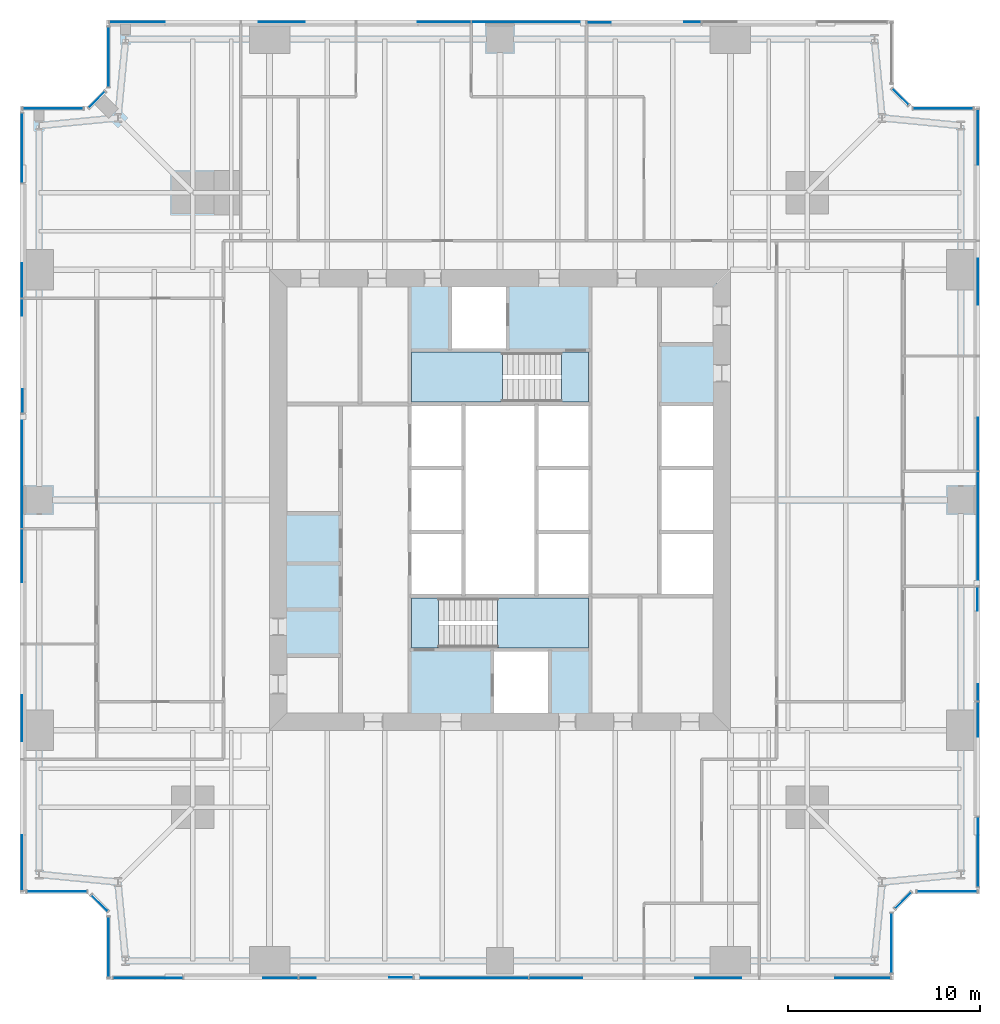
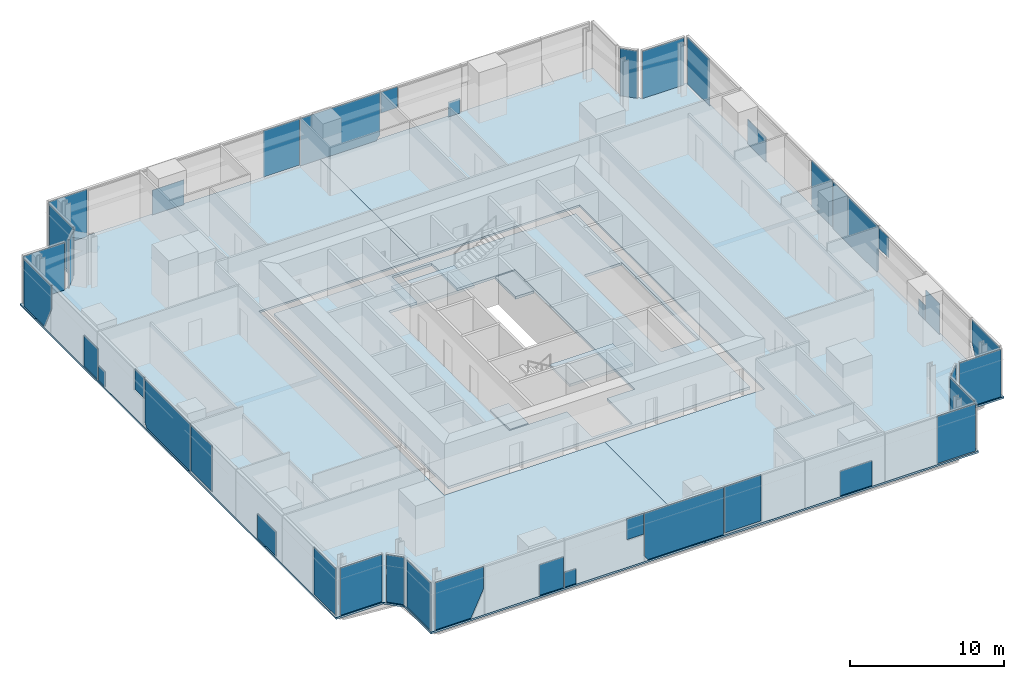
# One storey, part 8 of 14: 41 plates, 7 slabs, 17 elements without a shape of their own.
"""IFC4 building model written with IfcOpenShell, lengths in metres."""

from ifc_helpers import new_model, si_unit, direction, frame, origin, origin_2d, place, context, subcontext, project, spatial, polyline, rectangle, outline, extrude, material, layer, layer_set, type_object, element, aggregate, save


model = new_model("IFC4")

# Units and contexts
model_context = context("Model", 3, precision=1e-05, world=origin(), true_north=direction((0.0, 1.0)))
body_context = subcontext(model_context, "Body", "Model", "MODEL_VIEW")
ifc_project = project(units=[si_unit("LENGTHUNIT", "METRE"), si_unit("AREAUNIT", "SQUARE_METRE"), si_unit("VOLUMEUNIT", "CUBIC_METRE"), si_unit("PLANEANGLEUNIT", "RADIAN"), si_unit("MASSUNIT", "GRAM", prefix="KILO")], contexts=[model_context])

# Site, building, storey
site_placement = place(None, origin())
site = spatial("IfcSite", under=ifc_project, at=site_placement, CompositionType="ELEMENT")
building_placement = place(site_placement, origin())
building = spatial("IfcBuilding", under=site, at=building_placement, Name="Fenwick Lantern Interchange", CompositionType="ELEMENT")
storey_placement = place(building_placement, frame((0.0, 0.0, 122.39990234375)))
storey = spatial("IfcBuildingStorey", under=building, at=storey_placement, Name="L28", CompositionType="ELEMENT", Elevation=122.39990234375)

# Slabs
ifc_material_1 = material(Name="Concrete f'c 35 MPa", Category="concrete")
ifc_layer_1 = layer(ifc_material_1, 0.199951171875)
ifc_layer_set_1 = layer_set([ifc_layer_1], Name="CORE FLOOR SLAB 200")
slab_type_1 = type_object("IfcSlabType", Name="CORE FLOOR SLAB 200", PredefinedType="FLOOR", material=ifc_layer_set_1)
slab_1_placement = place(storey_placement, frame((0.0, 0.0, -0.199951171875)))
element("IfcSlab", 1, at=slab_1_placement, inside=storey, type_object=slab_type_1, Name="L28/SLAB/CORE", PredefinedType="FLOOR", context=body_context, shape_type="SweptSolid", body=[
    extrude(outline(polyline([(13.699951171875, 36.300048828125), (36.300048828125, 36.300048828125), (36.300048828125, 13.699951171875), (13.699951171875, 13.699951171875), (13.699951171875, 36.300048828125)]), holes=[polyline([(29.699951171875, 17.199951171875), (29.699951171875, 20.0), (29.699951171875, 23.333251953125), (29.699951171875, 26.666748046875), (29.699951171875, 30.0), (29.699951171875, 32.800048828125), (25.39990234375, 32.800048828125), (25.39990234375, 36.10009765625), (22.39990234375, 36.10009765625), (22.39990234375, 32.800048828125), (20.300048828125, 32.800048828125), (20.300048828125, 30.0), (20.300048828125, 26.666748046875), (20.300048828125, 23.333251953125), (20.300048828125, 20.0), (20.300048828125, 17.199951171875), (24.60009765625, 17.199951171875), (24.60009765625, 13.89990234375), (27.60009765625, 13.89990234375), (27.60009765625, 17.199951171875), (29.699951171875, 17.199951171875)]), polyline([(33.300048828125, 23.333251953125), (33.300048828125, 20.0), (36.10009765625, 20.0), (36.10009765625, 23.333251953125), (36.10009765625, 26.666748046875), (36.10009765625, 30.0), (33.300048828125, 30.0), (33.300048828125, 26.666748046875), (33.300048828125, 23.333251953125)])]), origin(), (0.0, 0.0, 1.0), 0.199951171875),
])
ifc_material_2 = material(Name="Concrete f'c 35 MPa", Category="concrete")
ifc_layer_2 = layer(ifc_material_2, 0.14990234375)
ifc_layer_set_2 = layer_set([ifc_layer_2], Name="Concrete f'c 35 MPa")
slab_type_2 = type_object("IfcSlabType", Name="FLOOR SLAB 150", PredefinedType="FLOOR", material=ifc_layer_set_2)
slab_2_placement = place(storey_placement, frame((0.0, 0.0, -0.14990234375)))
element("IfcSlab", 2, at=slab_2_placement, inside=storey, type_object=slab_type_2, Name="L28/SLAB/FW", PredefinedType="FLOOR", context=body_context, shape_type="SweptSolid", body=[
    extrude(outline(polyline([(4.5, 0.0), (4.5, 3.5), (3.5, 4.5), (0.0, 4.5), (0.0, 45.5), (3.5, 45.5), (4.5, 46.5), (4.5, 50.0), (25.0, 50.0), (25.0, 37.0), (13.0, 37.0), (13.0, 13.0), (25.0, 13.0), (25.0, 0.0), (4.5, 0.0)])), origin(), (0.0, 0.0, 1.0), 0.14990234375),
])
slab_3_placement = place(storey_placement, frame((0.0, 0.0, -0.14990234375)))
element("IfcSlab", 3, at=slab_3_placement, inside=storey, type_object=slab_type_2, Name="L28/SLAB/FE", PredefinedType="FLOOR", context=body_context, shape_type="SweptSolid", body=[
    extrude(outline(polyline([(45.5, 50.0), (45.5, 46.5), (46.5, 45.5), (50.0, 45.5), (50.0, 4.5), (46.5, 4.5), (45.5, 3.5), (45.5, 0.0), (25.0, 0.0), (25.0, 13.0), (37.0, 13.0), (37.0, 37.0), (25.0, 37.0), (25.0, 50.0), (45.5, 50.0)])), origin(), (0.0, 0.0, 1.0), 0.14990234375),
])

# Curtain wall, plates
ifc_material_3 = material(Name="Aluminium curtain wall frame", Category="aluminium")
curtain_wall_type = type_object("IfcCurtainWallType", Name="OFFICE CURTAIN WALL", PredefinedType="USERDEFINED", material=ifc_material_3)
curtain_wall_1_placement = place(storey_placement, origin())
curtain_wall_1 = element("IfcCurtainWall", 4, at=curtain_wall_1_placement, inside=storey, type_object=curtain_wall_type, Name="Office curtain wall 01", ObjectType="OFFICE CURTAIN WALL", PredefinedType="USERDEFINED")
ifc_material_4 = material(Name="Vision glass, clear low-iron double glazed", Category="glass")
ifc_layer_3 = layer(ifc_material_4, 0.031982421875)
ifc_layer_set_3 = layer_set([ifc_layer_3], Name="OFFICE CURTAIN WALL PANEL 32")
plate_type = type_object("IfcPlateType", Name="OFFICE CURTAIN WALL PANEL 32", PredefinedType="CURTAIN_PANEL", material=ifc_layer_set_3)
plate_1_placement = place(storey_placement, frame((4.60009765625, 0.10009765625, 0.0), z_axis=(0.0, 0.0, 1.0), x_axis=(1.0, 0.0, 0.0)))
plate_1 = element("IfcPlate", 5, at=plate_1_placement, type_object=plate_type, Name="L28/CW/01/P00a", PredefinedType="CURTAIN_PANEL", context=body_context, shape_type="SweptSolid", body=[
    extrude(outline(polyline([(0.264892578125, 0.0), (2.946044921875, 0.0), (3.867431640625, 1.9658203125), (3.867431640625, 3.75), (0.264892578125, 3.75), (0.264892578125, 0.0)])), frame((0.0, 0.01611328125, 0.0), z_axis=(0.0, -1.0, 0.0), x_axis=(1.0, 0.0, 0.0)), (0.0, 0.0, 1.0), 0.031982421875),
])
plate_2_placement = place(storey_placement, frame((4.60009765625, 0.10009765625, 0.0), z_axis=(0.0, 0.0, 1.0), x_axis=(1.0, 0.0, 0.0)))
plate_2 = element("IfcPlate", 6, at=plate_2_placement, type_object=plate_type, Name="L28/CW/01/P01a", PredefinedType="CURTAIN_PANEL", context=body_context, shape_type="SweptSolid", body=[
    extrude(outline(polyline([(8.06201171875, 0.0), (9.867431640625, 0.0), (9.867431640625, 2.43212890625), (8.06201171875, 2.43212890625), (8.06201171875, 0.0)])), frame((0.0, 0.01611328125, 0.0), z_axis=(0.0, -1.0, 0.0), x_axis=(1.0, 0.0, 0.0)), (0.0, 0.0, 1.0), 0.031982421875),
])
plate_3_placement = place(storey_placement, frame((4.60009765625, 0.10009765625, 0.0), z_axis=(0.0, 0.0, 1.0), x_axis=(1.0, 0.0, 0.0)))
plate_3 = element("IfcPlate", 7, at=plate_3_placement, type_object=plate_type, Name="L28/CW/01/P02a", PredefinedType="CURTAIN_PANEL", context=body_context, shape_type="SweptSolid", body=[
    extrude(outline(polyline([(9.9326171875, 0.0), (10.8125, 0.0), (10.8125, 1.177490234375), (9.9326171875, 1.177490234375), (9.9326171875, 0.0)])), frame((0.0, 0.01611328125, 0.0), z_axis=(0.0, -1.0, 0.0), x_axis=(1.0, 0.0, 0.0)), (0.0, 0.0, 1.0), 0.031982421875),
])
plate_4_placement = place(storey_placement, frame((4.60009765625, 0.10009765625, 2.0966796875), z_axis=(0.0, 0.0, 1.0), x_axis=(1.0, 0.0, 0.0)))
plate_4 = element("IfcPlate", 8, at=plate_4_placement, type_object=plate_type, Name="L28/CW/01/P02b", PredefinedType="CURTAIN_PANEL", context=body_context, shape_type="SweptSolid", body=[
    extrude(outline(polyline([(14.623046875, 0.0), (15.867431640625, 0.0), (15.867431640625, 1.6533203125), (14.623046875, 1.6533203125), (14.623046875, 0.0)])), frame((0.0, 0.0498046875, 0.0), z_axis=(0.0, -1.0, 0.0), x_axis=(1.0, 0.0, 0.0)), (0.0, 0.0, 1.0), 0.031982421875),
])
plate_5_placement = place(storey_placement, frame((4.60009765625, 0.10009765625, 0.0), z_axis=(0.0, 0.0, 1.0), x_axis=(1.0, 0.0, 0.0)))
plate_5 = element("IfcPlate", 9, at=plate_5_placement, type_object=plate_type, Name="L28/CW/01/P03a", PredefinedType="CURTAIN_PANEL", context=body_context, shape_type="SweptSolid", body=[
    extrude(outline(polyline([(16.195556640625, 0.0), (21.867431640625, 0.0), (21.867431640625, 3.75), (15.9326171875, 3.75), (15.9326171875, 0.350830078125), (16.195556640625, 0.0)])), frame((0.0, 0.01611328125, 0.0), z_axis=(0.0, -1.0, 0.0), x_axis=(1.0, 0.0, 0.0)), (0.0, 0.0, 1.0), 0.031982421875),
])
plate_6_placement = place(storey_placement, frame((4.60009765625, 0.10009765625, 0.0908203125), z_axis=(0.0, 0.0, 1.0), x_axis=(1.0, 0.0, 0.0)))
plate_6 = element("IfcPlate", 10, at=plate_6_placement, type_object=plate_type, Name="L28/CW/01/P04a", PredefinedType="CURTAIN_PANEL", context=body_context, shape_type="SweptSolid", body=[
    extrude(outline(polyline([(21.9326171875, 0.0), (24.672607421875, 0.0), (24.672607421875, 3.6591796875), (21.9326171875, 3.6591796875), (21.9326171875, 0.0)])), frame((0.0, 0.01611328125, 0.0), z_axis=(0.0, -1.0, 0.0), x_axis=(1.0, 0.0, 0.0)), (0.0, 0.0, 1.0), 0.031982421875),
])
plate_7_placement = place(storey_placement, frame((4.60009765625, 0.10009765625, 0.0), z_axis=(0.0, 0.0, 1.0), x_axis=(1.0, 0.0, 0.0)))
plate_7 = element("IfcPlate", 11, at=plate_7_placement, type_object=plate_type, Name="L28/CW/01/P05a", PredefinedType="CURTAIN_PANEL", context=body_context, shape_type="SweptSolid", body=[
    extrude(outline(polyline([(30.574462890625, 0.0), (32.95947265625, 0.0), (32.95947265625, 1.95947265625), (30.574462890625, 1.95947265625), (30.574462890625, 0.0)])), frame((0.0, 0.01611328125, 0.0), z_axis=(0.0, -1.0, 0.0), x_axis=(1.0, 0.0, 0.0)), (0.0, 0.0, 1.0), 0.031982421875),
])
plate_8_placement = place(storey_placement, frame((4.60009765625, 0.10009765625, 0.006103515625), z_axis=(0.0, 0.0, 1.0), x_axis=(1.0, 0.0, 0.0)))
plate_8 = element("IfcPlate", 12, at=plate_8_placement, type_object=plate_type, Name="L28/CW/01/P06a", PredefinedType="CURTAIN_PANEL", context=body_context, shape_type="SweptSolid", body=[
    extrude(outline(polyline([(37.85107421875, 0.0), (40.735107421875, 0.0), (40.735107421875, 3.743896484375), (37.85107421875, 3.743896484375), (37.85107421875, 0.0)])), frame((0.0, 0.01611328125, 0.0), z_axis=(0.0, -1.0, 0.0), x_axis=(1.0, 0.0, 0.0)), (0.0, 0.0, 1.0), 0.031982421875),
])
aggregate(curtain_wall_1, [plate_1, plate_2, plate_3, plate_4, plate_5, plate_6, plate_7, plate_8])

# Curtain wall, plate
curtain_wall_2_placement = place(storey_placement, origin())
curtain_wall_2 = element("IfcCurtainWall", 13, at=curtain_wall_2_placement, inside=storey, type_object=curtain_wall_type, Name="Office curtain wall 02", ObjectType="OFFICE CURTAIN WALL", PredefinedType="USERDEFINED")
plate_9_placement = place(storey_placement, frame((45.39990234375, 1.920654296875, 0.0), z_axis=(0.0, 0.0, 1.0), x_axis=(0.0, 1.0, 0.0)))
plate_9 = element("IfcPlate", 14, at=plate_9_placement, type_object=plate_type, Name="L28/CW/02/P00", PredefinedType="CURTAIN_PANEL", context=body_context, shape_type="SweptSolid", body=[
    extrude(rectangle(XDim=3.111328125, YDim=0.031982421875, at=origin_2d()), origin(), (0.0, 0.0, 1.0), 3.75),
])
aggregate(curtain_wall_2, [plate_9])

curtain_wall_3_placement = place(storey_placement, origin())
curtain_wall_3 = element("IfcCurtainWall", 15, at=curtain_wall_3_placement, inside=storey, type_object=curtain_wall_type, Name="Office curtain wall 03", ObjectType="OFFICE CURTAIN WALL", PredefinedType="USERDEFINED")
plate_10_placement = place(storey_placement, frame((46.0, 4.141357421875, 0.0), z_axis=(0.0, 0.0, 1.0), x_axis=(0.707106781187, 0.707106781187, 0.0)))
plate_10 = element("IfcPlate", 16, at=plate_10_placement, type_object=plate_type, Name="L28/CW/03/P00", PredefinedType="CURTAIN_PANEL", context=body_context, shape_type="SweptSolid", body=[
    extrude(rectangle(XDim=1.1669921875, YDim=0.031982421875, at=origin_2d()), origin(), (0.0, 0.0, 1.0), 3.75),
])
aggregate(curtain_wall_3, [plate_10])

curtain_wall_4_placement = place(storey_placement, origin())
curtain_wall_4 = element("IfcCurtainWall", 17, at=curtain_wall_4_placement, inside=storey, type_object=curtain_wall_type, Name="Office curtain wall 04", ObjectType="OFFICE CURTAIN WALL", PredefinedType="USERDEFINED")
plate_11_placement = place(storey_placement, frame((48.279296875, 4.60009765625, 0.0), z_axis=(0.0, 0.0, 1.0), x_axis=(1.0, 0.0, 0.0)))
plate_11 = element("IfcPlate", 18, at=plate_11_placement, type_object=plate_type, Name="L28/CW/04/P00", PredefinedType="CURTAIN_PANEL", context=body_context, shape_type="SweptSolid", body=[
    extrude(rectangle(XDim=3.111328125, YDim=0.031982421875, at=origin_2d()), origin(), (0.0, 0.0, 1.0), 3.75),
])
aggregate(curtain_wall_4, [plate_11])

# Curtain wall, plates
curtain_wall_5_placement = place(storey_placement, origin())
curtain_wall_5 = element("IfcCurtainWall", 19, at=curtain_wall_5_placement, inside=storey, type_object=curtain_wall_type, Name="Office curtain wall 05", ObjectType="OFFICE CURTAIN WALL", PredefinedType="USERDEFINED")
plate_12_placement = place(storey_placement, frame((49.89990234375, 4.60009765625, 0.0), z_axis=(0.0, 0.0, 1.0), x_axis=(0.0, 1.0, 0.0)))
plate_12 = element("IfcPlate", 20, at=plate_12_placement, type_object=plate_type, Name="L28/CW/05/P00a", PredefinedType="CURTAIN_PANEL", context=body_context, shape_type="SweptSolid", body=[
    extrude(outline(polyline([(0.264892578125, 0.0), (2.946044921875, 0.0), (3.867431640625, 1.9658203125), (3.867431640625, 3.75), (0.264892578125, 3.75), (0.264892578125, 0.0)])), frame((0.0, 0.01611328125, 0.0), z_axis=(0.0, -1.0, 0.0), x_axis=(1.0, 0.0, 0.0)), (0.0, 0.0, 1.0), 0.031982421875),
])
plate_13_placement = place(storey_placement, frame((49.89990234375, 4.60009765625, 0.0), z_axis=(0.0, 0.0, 1.0), x_axis=(0.0, 1.0, 0.0)))
plate_13 = element("IfcPlate", 21, at=plate_13_placement, type_object=plate_type, Name="L28/CW/05/P01a", PredefinedType="CURTAIN_PANEL", context=body_context, shape_type="SweptSolid", body=[
    extrude(outline(polyline([(8.06201171875, 0.0), (9.867431640625, 0.0), (9.867431640625, 2.43212890625), (8.06201171875, 2.43212890625), (8.06201171875, 0.0)])), frame((0.0, 0.01611328125, 0.0), z_axis=(0.0, -1.0, 0.0), x_axis=(1.0, 0.0, 0.0)), (0.0, 0.0, 1.0), 0.031982421875),
])
plate_14_placement = place(storey_placement, frame((49.89990234375, 4.60009765625, 0.0), z_axis=(0.0, 0.0, 1.0), x_axis=(0.0, 1.0, 0.0)))
plate_14 = element("IfcPlate", 22, at=plate_14_placement, type_object=plate_type, Name="L28/CW/05/P02a", PredefinedType="CURTAIN_PANEL", context=body_context, shape_type="SweptSolid", body=[
    extrude(outline(polyline([(9.9326171875, 0.0), (10.8125, 0.0), (10.8125, 1.177490234375), (9.9326171875, 1.177490234375), (9.9326171875, 0.0)])), frame((0.0, 0.01611328125, 0.0), z_axis=(0.0, -1.0, 0.0), x_axis=(1.0, 0.0, 0.0)), (0.0, 0.0, 1.0), 0.031982421875),
])
plate_15_placement = place(storey_placement, frame((49.89990234375, 4.60009765625, 2.0966796875), z_axis=(0.0, 0.0, 1.0), x_axis=(0.0, 1.0, 0.0)))
plate_15 = element("IfcPlate", 23, at=plate_15_placement, type_object=plate_type, Name="L28/CW/05/P02b", PredefinedType="CURTAIN_PANEL", context=body_context, shape_type="SweptSolid", body=[
    extrude(outline(polyline([(14.623046875, 0.0), (15.867431640625, 0.0), (15.867431640625, 1.6533203125), (14.623046875, 1.6533203125), (14.623046875, 0.0)])), frame((0.0, 0.0498046875, 0.0), z_axis=(0.0, -1.0, 0.0), x_axis=(1.0, 0.0, 0.0)), (0.0, 0.0, 1.0), 0.031982421875),
])
plate_16_placement = place(storey_placement, frame((49.89990234375, 4.60009765625, 0.0), z_axis=(0.0, 0.0, 1.0), x_axis=(0.0, 1.0, 0.0)))
plate_16 = element("IfcPlate", 24, at=plate_16_placement, type_object=plate_type, Name="L28/CW/05/P03a", PredefinedType="CURTAIN_PANEL", context=body_context, shape_type="SweptSolid", body=[
    extrude(outline(polyline([(16.195556640625, 0.0), (21.867431640625, 0.0), (21.867431640625, 3.75), (15.9326171875, 3.75), (15.9326171875, 0.350830078125), (16.195556640625, 0.0)])), frame((0.0, 0.01611328125, 0.0), z_axis=(0.0, -1.0, 0.0), x_axis=(1.0, 0.0, 0.0)), (0.0, 0.0, 1.0), 0.031982421875),
])
plate_17_placement = place(storey_placement, frame((49.89990234375, 4.60009765625, 0.0908203125), z_axis=(0.0, 0.0, 1.0), x_axis=(0.0, 1.0, 0.0)))
plate_17 = element("IfcPlate", 25, at=plate_17_placement, type_object=plate_type, Name="L28/CW/05/P04a", PredefinedType="CURTAIN_PANEL", context=body_context, shape_type="SweptSolid", body=[
    extrude(outline(polyline([(21.9326171875, 0.0), (24.672607421875, 0.0), (24.672607421875, 3.6591796875), (21.9326171875, 3.6591796875), (21.9326171875, 0.0)])), frame((0.0, 0.01611328125, 0.0), z_axis=(0.0, -1.0, 0.0), x_axis=(1.0, 0.0, 0.0)), (0.0, 0.0, 1.0), 0.031982421875),
])
plate_18_placement = place(storey_placement, frame((49.89990234375, 4.60009765625, 0.0), z_axis=(0.0, 0.0, 1.0), x_axis=(0.0, 1.0, 0.0)))
plate_18 = element("IfcPlate", 26, at=plate_18_placement, type_object=plate_type, Name="L28/CW/05/P05a", PredefinedType="CURTAIN_PANEL", context=body_context, shape_type="SweptSolid", body=[
    extrude(outline(polyline([(30.574462890625, 0.0), (32.95947265625, 0.0), (32.95947265625, 1.95947265625), (30.574462890625, 1.95947265625), (30.574462890625, 0.0)])), frame((0.0, 0.01611328125, 0.0), z_axis=(0.0, -1.0, 0.0), x_axis=(1.0, 0.0, 0.0)), (0.0, 0.0, 1.0), 0.031982421875),
])
plate_19_placement = place(storey_placement, frame((49.89990234375, 4.60009765625, 0.006103515625), z_axis=(0.0, 0.0, 1.0), x_axis=(0.0, 1.0, 0.0)))
plate_19 = element("IfcPlate", 27, at=plate_19_placement, type_object=plate_type, Name="L28/CW/05/P06a", PredefinedType="CURTAIN_PANEL", context=body_context, shape_type="SweptSolid", body=[
    extrude(outline(polyline([(37.85107421875, 0.0), (40.735107421875, 0.0), (40.735107421875, 3.743896484375), (37.85107421875, 3.743896484375), (37.85107421875, 0.0)])), frame((0.0, 0.01611328125, 0.0), z_axis=(0.0, -1.0, 0.0), x_axis=(1.0, 0.0, 0.0)), (0.0, 0.0, 1.0), 0.031982421875),
])
aggregate(curtain_wall_5, [plate_12, plate_13, plate_14, plate_15, plate_16, plate_17, plate_18, plate_19])

# Curtain wall, plate
curtain_wall_6_placement = place(storey_placement, origin())
curtain_wall_6 = element("IfcCurtainWall", 28, at=curtain_wall_6_placement, inside=storey, type_object=curtain_wall_type, Name="Office curtain wall 06", ObjectType="OFFICE CURTAIN WALL", PredefinedType="USERDEFINED")
plate_20_placement = place(storey_placement, frame((48.079345703125, 45.39990234375, 0.0), z_axis=(0.0, 0.0, 1.0), x_axis=(-1.0, 0.0, 0.0)))
plate_20 = element("IfcPlate", 29, at=plate_20_placement, type_object=plate_type, Name="L28/CW/06/P00", PredefinedType="CURTAIN_PANEL", context=body_context, shape_type="SweptSolid", body=[
    extrude(rectangle(XDim=3.111328125, YDim=0.031982421875, at=origin_2d()), origin(), (0.0, 0.0, 1.0), 3.75),
])
aggregate(curtain_wall_6, [plate_20])

curtain_wall_7_placement = place(storey_placement, origin())
curtain_wall_7 = element("IfcCurtainWall", 30, at=curtain_wall_7_placement, inside=storey, type_object=curtain_wall_type, Name="Office curtain wall 07", ObjectType="OFFICE CURTAIN WALL", PredefinedType="USERDEFINED")
plate_21_placement = place(storey_placement, frame((45.858642578125, 46.0, 0.0), z_axis=(0.0, 0.0, 1.0), x_axis=(-0.707106781187, 0.707106781187, 0.0)))
plate_21 = element("IfcPlate", 31, at=plate_21_placement, type_object=plate_type, Name="L28/CW/07/P00", PredefinedType="CURTAIN_PANEL", context=body_context, shape_type="SweptSolid", body=[
    extrude(rectangle(XDim=1.1669921875, YDim=0.031982421875, at=origin_2d()), origin(), (0.0, 0.0, 1.0), 3.75),
])
aggregate(curtain_wall_7, [plate_21])

# Curtain wall, plates
curtain_wall_8_placement = place(storey_placement, origin())
curtain_wall_8 = element("IfcCurtainWall", 32, at=curtain_wall_8_placement, inside=storey, type_object=curtain_wall_type, Name="Office curtain wall 09", ObjectType="OFFICE CURTAIN WALL", PredefinedType="USERDEFINED")
plate_22_placement = place(storey_placement, frame((45.39990234375, 49.89990234375, 0.0), z_axis=(0.0, 0.0, 1.0), x_axis=(-1.0, 0.0, 0.0)))
plate_22 = element("IfcPlate", 33, at=plate_22_placement, type_object=plate_type, Name="L28/CW/09/P02a", PredefinedType="CURTAIN_PANEL", context=body_context, shape_type="SweptSolid", body=[
    extrude(outline(polyline([(9.9326171875, 0.0), (10.8125, 0.0), (10.8125, 1.177490234375), (9.9326171875, 1.177490234375), (9.9326171875, 0.0)])), frame((0.0, 0.01611328125, 0.0), z_axis=(0.0, -1.0, 0.0), x_axis=(1.0, 0.0, 0.0)), (0.0, 0.0, 1.0), 0.031982421875),
])
plate_23_placement = place(storey_placement, frame((45.39990234375, 49.89990234375, 2.0966796875), z_axis=(0.0, 0.0, 1.0), x_axis=(-1.0, 0.0, 0.0)))
plate_23 = element("IfcPlate", 34, at=plate_23_placement, type_object=plate_type, Name="L28/CW/09/P02b", PredefinedType="CURTAIN_PANEL", context=body_context, shape_type="SweptSolid", body=[
    extrude(outline(polyline([(14.623046875, 0.0), (15.867431640625, 0.0), (15.867431640625, 1.6533203125), (14.623046875, 1.6533203125), (14.623046875, 0.0)])), frame((0.0, 0.0498046875, 0.0), z_axis=(0.0, -1.0, 0.0), x_axis=(1.0, 0.0, 0.0)), (0.0, 0.0, 1.0), 0.031982421875),
])
plate_24_placement = place(storey_placement, frame((45.39990234375, 49.89990234375, 0.0), z_axis=(0.0, 0.0, 1.0), x_axis=(-1.0, 0.0, 0.0)))
plate_24 = element("IfcPlate", 35, at=plate_24_placement, type_object=plate_type, Name="L28/CW/09/P03a", PredefinedType="CURTAIN_PANEL", context=body_context, shape_type="SweptSolid", body=[
    extrude(outline(polyline([(16.195556640625, 0.0), (21.867431640625, 0.0), (21.867431640625, 3.75), (15.9326171875, 3.75), (15.9326171875, 0.350830078125), (16.195556640625, 0.0)])), frame((0.0, 0.01611328125, 0.0), z_axis=(0.0, -1.0, 0.0), x_axis=(1.0, 0.0, 0.0)), (0.0, 0.0, 1.0), 0.031982421875),
])
plate_25_placement = place(storey_placement, frame((45.39990234375, 49.89990234375, 0.0908203125), z_axis=(0.0, 0.0, 1.0), x_axis=(-1.0, 0.0, 0.0)))
plate_25 = element("IfcPlate", 36, at=plate_25_placement, type_object=plate_type, Name="L28/CW/09/P04a", PredefinedType="CURTAIN_PANEL", context=body_context, shape_type="SweptSolid", body=[
    extrude(outline(polyline([(21.9326171875, 0.0), (24.672607421875, 0.0), (24.672607421875, 3.6591796875), (21.9326171875, 3.6591796875), (21.9326171875, 0.0)])), frame((0.0, 0.01611328125, 0.0), z_axis=(0.0, -1.0, 0.0), x_axis=(1.0, 0.0, 0.0)), (0.0, 0.0, 1.0), 0.031982421875),
])
plate_26_placement = place(storey_placement, frame((45.39990234375, 49.89990234375, 0.0), z_axis=(0.0, 0.0, 1.0), x_axis=(-1.0, 0.0, 0.0)))
plate_26 = element("IfcPlate", 37, at=plate_26_placement, type_object=plate_type, Name="L28/CW/09/P05a", PredefinedType="CURTAIN_PANEL", context=body_context, shape_type="SweptSolid", body=[
    extrude(outline(polyline([(30.574462890625, 0.0), (32.95947265625, 0.0), (32.95947265625, 1.95947265625), (30.574462890625, 1.95947265625), (30.574462890625, 0.0)])), frame((0.0, 0.01611328125, 0.0), z_axis=(0.0, -1.0, 0.0), x_axis=(1.0, 0.0, 0.0)), (0.0, 0.0, 1.0), 0.031982421875),
])
plate_27_placement = place(storey_placement, frame((45.39990234375, 49.89990234375, 0.006103515625), z_axis=(0.0, 0.0, 1.0), x_axis=(-1.0, 0.0, 0.0)))
plate_27 = element("IfcPlate", 38, at=plate_27_placement, type_object=plate_type, Name="L28/CW/09/P06a", PredefinedType="CURTAIN_PANEL", context=body_context, shape_type="SweptSolid", body=[
    extrude(outline(polyline([(37.85107421875, 0.0), (40.735107421875, 0.0), (40.735107421875, 3.743896484375), (37.85107421875, 3.743896484375), (37.85107421875, 0.0)])), frame((0.0, 0.01611328125, 0.0), z_axis=(0.0, -1.0, 0.0), x_axis=(1.0, 0.0, 0.0)), (0.0, 0.0, 1.0), 0.031982421875),
])
aggregate(curtain_wall_8, [plate_22, plate_23, plate_24, plate_25, plate_26, plate_27])

# Curtain wall, plate
curtain_wall_9_placement = place(storey_placement, origin())
curtain_wall_9 = element("IfcCurtainWall", 39, at=curtain_wall_9_placement, inside=storey, type_object=curtain_wall_type, Name="Office curtain wall 10", ObjectType="OFFICE CURTAIN WALL", PredefinedType="USERDEFINED")
plate_28_placement = place(storey_placement, frame((4.60009765625, 48.079345703125, 0.0), z_axis=(0.0, 0.0, 1.0), x_axis=(0.0, -1.0, 0.0)))
plate_28 = element("IfcPlate", 40, at=plate_28_placement, type_object=plate_type, Name="L28/CW/10/P00", PredefinedType="CURTAIN_PANEL", context=body_context, shape_type="SweptSolid", body=[
    extrude(rectangle(XDim=3.111328125, YDim=0.031982421875, at=origin_2d()), origin(), (0.0, 0.0, 1.0), 3.75),
])
aggregate(curtain_wall_9, [plate_28])

curtain_wall_10_placement = place(storey_placement, origin())
curtain_wall_10 = element("IfcCurtainWall", 41, at=curtain_wall_10_placement, inside=storey, type_object=curtain_wall_type, Name="Office curtain wall 11", ObjectType="OFFICE CURTAIN WALL", PredefinedType="USERDEFINED")
plate_29_placement = place(storey_placement, frame((4.0, 45.858642578125, 0.0), z_axis=(0.0, 0.0, 1.0), x_axis=(-0.707106781187, -0.707106781187, 0.0)))
plate_29 = element("IfcPlate", 42, at=plate_29_placement, type_object=plate_type, Name="L28/CW/11/P00", PredefinedType="CURTAIN_PANEL", context=body_context, shape_type="SweptSolid", body=[
    extrude(rectangle(XDim=1.1669921875, YDim=0.031982421875, at=origin_2d()), origin(), (0.0, 0.0, 1.0), 3.75),
])
aggregate(curtain_wall_10, [plate_29])

curtain_wall_11_placement = place(storey_placement, origin())
curtain_wall_11 = element("IfcCurtainWall", 43, at=curtain_wall_11_placement, inside=storey, type_object=curtain_wall_type, Name="Office curtain wall 12", ObjectType="OFFICE CURTAIN WALL", PredefinedType="USERDEFINED")
plate_30_placement = place(storey_placement, frame((1.720703125, 45.39990234375, 0.0), z_axis=(0.0, 0.0, 1.0), x_axis=(-1.0, 0.0, 0.0)))
plate_30 = element("IfcPlate", 44, at=plate_30_placement, type_object=plate_type, Name="L28/CW/12/P00", PredefinedType="CURTAIN_PANEL", context=body_context, shape_type="SweptSolid", body=[
    extrude(rectangle(XDim=3.111328125, YDim=0.031982421875, at=origin_2d()), origin(), (0.0, 0.0, 1.0), 3.75),
])
aggregate(curtain_wall_11, [plate_30])

# Curtain wall, plates
curtain_wall_12_placement = place(storey_placement, origin())
curtain_wall_12 = element("IfcCurtainWall", 45, at=curtain_wall_12_placement, inside=storey, type_object=curtain_wall_type, Name="Office curtain wall 13", ObjectType="OFFICE CURTAIN WALL", PredefinedType="USERDEFINED")
plate_31_placement = place(storey_placement, frame((0.10009765625, 45.39990234375, 0.0), z_axis=(0.0, 0.0, 1.0), x_axis=(0.0, -1.0, 0.0)))
plate_31 = element("IfcPlate", 46, at=plate_31_placement, type_object=plate_type, Name="L28/CW/13/P00a", PredefinedType="CURTAIN_PANEL", context=body_context, shape_type="SweptSolid", body=[
    extrude(outline(polyline([(0.264892578125, 0.0), (2.946044921875, 0.0), (3.867431640625, 1.9658203125), (3.867431640625, 3.75), (0.264892578125, 3.75), (0.264892578125, 0.0)])), frame((0.0, 0.01611328125, 0.0), z_axis=(0.0, -1.0, 0.0), x_axis=(1.0, 0.0, 0.0)), (0.0, 0.0, 1.0), 0.031982421875),
])
plate_32_placement = place(storey_placement, frame((0.10009765625, 45.39990234375, 0.0), z_axis=(0.0, 0.0, 1.0), x_axis=(0.0, -1.0, 0.0)))
plate_32 = element("IfcPlate", 47, at=plate_32_placement, type_object=plate_type, Name="L28/CW/13/P01a", PredefinedType="CURTAIN_PANEL", context=body_context, shape_type="SweptSolid", body=[
    extrude(outline(polyline([(8.06201171875, 0.0), (9.867431640625, 0.0), (9.867431640625, 2.43212890625), (8.06201171875, 2.43212890625), (8.06201171875, 0.0)])), frame((0.0, 0.01611328125, 0.0), z_axis=(0.0, -1.0, 0.0), x_axis=(1.0, 0.0, 0.0)), (0.0, 0.0, 1.0), 0.031982421875),
])
plate_33_placement = place(storey_placement, frame((0.10009765625, 45.39990234375, 0.0), z_axis=(0.0, 0.0, 1.0), x_axis=(0.0, -1.0, 0.0)))
plate_33 = element("IfcPlate", 48, at=plate_33_placement, type_object=plate_type, Name="L28/CW/13/P02a", PredefinedType="CURTAIN_PANEL", context=body_context, shape_type="SweptSolid", body=[
    extrude(outline(polyline([(9.9326171875, 0.0), (10.8125, 0.0), (10.8125, 1.177490234375), (9.9326171875, 1.177490234375), (9.9326171875, 0.0)])), frame((0.0, 0.01611328125, 0.0), z_axis=(0.0, -1.0, 0.0), x_axis=(1.0, 0.0, 0.0)), (0.0, 0.0, 1.0), 0.031982421875),
])
plate_34_placement = place(storey_placement, frame((0.10009765625, 45.39990234375, 2.0966796875), z_axis=(0.0, 0.0, 1.0), x_axis=(0.0, -1.0, 0.0)))
plate_34 = element("IfcPlate", 49, at=plate_34_placement, type_object=plate_type, Name="L28/CW/13/P02b", PredefinedType="CURTAIN_PANEL", context=body_context, shape_type="SweptSolid", body=[
    extrude(outline(polyline([(14.623046875, 0.0), (15.867431640625, 0.0), (15.867431640625, 1.6533203125), (14.623046875, 1.6533203125), (14.623046875, 0.0)])), frame((0.0, 0.0498046875, 0.0), z_axis=(0.0, -1.0, 0.0), x_axis=(1.0, 0.0, 0.0)), (0.0, 0.0, 1.0), 0.031982421875),
])
plate_35_placement = place(storey_placement, frame((0.10009765625, 45.39990234375, 0.0), z_axis=(0.0, 0.0, 1.0), x_axis=(0.0, -1.0, 0.0)))
plate_35 = element("IfcPlate", 50, at=plate_35_placement, type_object=plate_type, Name="L28/CW/13/P03a", PredefinedType="CURTAIN_PANEL", context=body_context, shape_type="SweptSolid", body=[
    extrude(outline(polyline([(16.195556640625, 0.0), (21.867431640625, 0.0), (21.867431640625, 3.75), (15.9326171875, 3.75), (15.9326171875, 0.350830078125), (16.195556640625, 0.0)])), frame((0.0, 0.01611328125, 0.0), z_axis=(0.0, -1.0, 0.0), x_axis=(1.0, 0.0, 0.0)), (0.0, 0.0, 1.0), 0.031982421875),
])
plate_36_placement = place(storey_placement, frame((0.10009765625, 45.39990234375, 0.0908203125), z_axis=(0.0, 0.0, 1.0), x_axis=(0.0, -1.0, 0.0)))
plate_36 = element("IfcPlate", 51, at=plate_36_placement, type_object=plate_type, Name="L28/CW/13/P04a", PredefinedType="CURTAIN_PANEL", context=body_context, shape_type="SweptSolid", body=[
    extrude(outline(polyline([(21.9326171875, 0.0), (24.672607421875, 0.0), (24.672607421875, 3.6591796875), (21.9326171875, 3.6591796875), (21.9326171875, 0.0)])), frame((0.0, 0.01611328125, 0.0), z_axis=(0.0, -1.0, 0.0), x_axis=(1.0, 0.0, 0.0)), (0.0, 0.0, 1.0), 0.031982421875),
])
plate_37_placement = place(storey_placement, frame((0.10009765625, 45.39990234375, 0.0), z_axis=(0.0, 0.0, 1.0), x_axis=(0.0, -1.0, 0.0)))
plate_37 = element("IfcPlate", 52, at=plate_37_placement, type_object=plate_type, Name="L28/CW/13/P05a", PredefinedType="CURTAIN_PANEL", context=body_context, shape_type="SweptSolid", body=[
    extrude(outline(polyline([(30.574462890625, 0.0), (32.95947265625, 0.0), (32.95947265625, 1.95947265625), (30.574462890625, 1.95947265625), (30.574462890625, 0.0)])), frame((0.0, 0.01611328125, 0.0), z_axis=(0.0, -1.0, 0.0), x_axis=(1.0, 0.0, 0.0)), (0.0, 0.0, 1.0), 0.031982421875),
])
plate_38_placement = place(storey_placement, frame((0.10009765625, 45.39990234375, 0.006103515625), z_axis=(0.0, 0.0, 1.0), x_axis=(0.0, -1.0, 0.0)))
plate_38 = element("IfcPlate", 53, at=plate_38_placement, type_object=plate_type, Name="L28/CW/13/P06a", PredefinedType="CURTAIN_PANEL", context=body_context, shape_type="SweptSolid", body=[
    extrude(outline(polyline([(37.85107421875, 0.0), (40.735107421875, 0.0), (40.735107421875, 3.743896484375), (37.85107421875, 3.743896484375), (37.85107421875, 0.0)])), frame((0.0, 0.01611328125, 0.0), z_axis=(0.0, -1.0, 0.0), x_axis=(1.0, 0.0, 0.0)), (0.0, 0.0, 1.0), 0.031982421875),
])
aggregate(curtain_wall_12, [plate_31, plate_32, plate_33, plate_34, plate_35, plate_36, plate_37, plate_38])

# Curtain wall, plate
curtain_wall_13_placement = place(storey_placement, origin())
curtain_wall_13 = element("IfcCurtainWall", 54, at=curtain_wall_13_placement, inside=storey, type_object=curtain_wall_type, Name="Office curtain wall 14", ObjectType="OFFICE CURTAIN WALL", PredefinedType="USERDEFINED")
plate_39_placement = place(storey_placement, frame((1.920654296875, 4.60009765625, 0.0), z_axis=(0.0, 0.0, 1.0), x_axis=(1.0, 0.0, 0.0)))
plate_39 = element("IfcPlate", 55, at=plate_39_placement, type_object=plate_type, Name="L28/CW/14/P00", PredefinedType="CURTAIN_PANEL", context=body_context, shape_type="SweptSolid", body=[
    extrude(rectangle(XDim=3.111328125, YDim=0.031982421875, at=origin_2d()), origin(), (0.0, 0.0, 1.0), 3.75),
])
aggregate(curtain_wall_13, [plate_39])

curtain_wall_14_placement = place(storey_placement, origin())
curtain_wall_14 = element("IfcCurtainWall", 56, at=curtain_wall_14_placement, inside=storey, type_object=curtain_wall_type, Name="Office curtain wall 15", ObjectType="OFFICE CURTAIN WALL", PredefinedType="USERDEFINED")
plate_40_placement = place(storey_placement, frame((4.141357421875, 4.0, 0.0), z_axis=(0.0, 0.0, 1.0), x_axis=(0.707106781187, -0.707106781187, 0.0)))
plate_40 = element("IfcPlate", 57, at=plate_40_placement, type_object=plate_type, Name="L28/CW/15/P00", PredefinedType="CURTAIN_PANEL", context=body_context, shape_type="SweptSolid", body=[
    extrude(rectangle(XDim=1.1669921875, YDim=0.031982421875, at=origin_2d()), origin(), (0.0, 0.0, 1.0), 3.75),
])
aggregate(curtain_wall_14, [plate_40])

curtain_wall_15_placement = place(storey_placement, origin())
curtain_wall_15 = element("IfcCurtainWall", 58, at=curtain_wall_15_placement, inside=storey, type_object=curtain_wall_type, Name="Office curtain wall 16", ObjectType="OFFICE CURTAIN WALL", PredefinedType="USERDEFINED")
plate_41_placement = place(storey_placement, frame((4.60009765625, 1.720703125, 0.0), z_axis=(0.0, 0.0, 1.0), x_axis=(0.0, -1.0, 0.0)))
plate_41 = element("IfcPlate", 59, at=plate_41_placement, type_object=plate_type, Name="L28/CW/16/P00", PredefinedType="CURTAIN_PANEL", context=body_context, shape_type="SweptSolid", body=[
    extrude(rectangle(XDim=3.111328125, YDim=0.031982421875, at=origin_2d()), origin(), (0.0, 0.0, 1.0), 3.75),
])
aggregate(curtain_wall_15, [plate_41])

# Stair, slabs
ifc_material_5 = material(Name="Precast concrete f'c 35 MPa", Category="concrete")
stair_type = type_object("IfcStairType", Name="EXIT STAIR 1200", PredefinedType="HALF_TURN_STAIR", material=ifc_material_5)
stair_1_placement = place(storey_placement, origin())
stair_1 = element("IfcStair", 60, at=stair_1_placement, inside=storey, type_object=stair_type, Name="Exit stair ST1", PredefinedType="HALF_TURN_STAIR")
ifc_layer_4 = layer(ifc_material_1, 0.199951171875)
ifc_layer_set_4 = layer_set([ifc_layer_4], Name="STAIR LANDING 200")
slab_type_3 = type_object("IfcSlabType", Name="STAIR LANDING 200", PredefinedType="LANDING", material=ifc_layer_set_4)
slab_4_placement = place(storey_placement, frame((0.0, 0.0, 1.800048828125)))
slab_4 = element("IfcSlab", 61, at=slab_4_placement, type_object=slab_type_3, Name="ST1 landing 1", PredefinedType="LANDING", context=body_context, shape_type="SweptSolid", body=[
    extrude(outline(polyline([(24.8798828125, 17.300048828125), (29.60009765625, 17.300048828125), (29.60009765625, 19.89990234375), (24.8798828125, 19.89990234375), (24.8798828125, 17.300048828125)])), origin(), (0.0, 0.0, 1.0), 0.199951171875),
])
slab_5_placement = place(storey_placement, frame((0.0, 0.0, -0.199951171875)))
slab_5 = element("IfcSlab", 62, at=slab_5_placement, type_object=slab_type_3, Name="ST1 landing 2", PredefinedType="LANDING", context=body_context, shape_type="SweptSolid", body=[
    extrude(outline(polyline([(20.39990234375, 17.300048828125), (21.800048828125, 17.300048828125), (21.800048828125, 19.89990234375), (20.39990234375, 19.89990234375), (20.39990234375, 17.300048828125)])), origin(), (0.0, 0.0, 1.0), 0.199951171875),
])
aggregate(stair_1, [slab_4, slab_5])

stair_2_placement = place(storey_placement, origin())
stair_2 = element("IfcStair", 63, at=stair_2_placement, inside=storey, type_object=stair_type, Name="Exit stair ST2", PredefinedType="HALF_TURN_STAIR")
slab_6_placement = place(storey_placement, frame((0.0, 0.0, 1.800048828125)))
slab_6 = element("IfcSlab", 64, at=slab_6_placement, type_object=slab_type_3, Name="ST2 landing 1", PredefinedType="LANDING", context=body_context, shape_type="SweptSolid", body=[
    extrude(outline(polyline([(25.1201171875, 32.699951171875), (20.39990234375, 32.699951171875), (20.39990234375, 30.10009765625), (25.1201171875, 30.10009765625), (25.1201171875, 32.699951171875)])), origin(), (0.0, 0.0, 1.0), 0.199951171875),
])
slab_7_placement = place(storey_placement, frame((0.0, 0.0, -0.199951171875)))
slab_7 = element("IfcSlab", 65, at=slab_7_placement, type_object=slab_type_3, Name="ST2 landing 2", PredefinedType="LANDING", context=body_context, shape_type="SweptSolid", body=[
    extrude(outline(polyline([(29.60009765625, 32.699951171875), (28.199951171875, 32.699951171875), (28.199951171875, 30.10009765625), (29.60009765625, 30.10009765625), (29.60009765625, 32.699951171875)])), origin(), (0.0, 0.0, 1.0), 0.199951171875),
])
aggregate(stair_2, [slab_6, slab_7])

save(model, "model.ifc")
